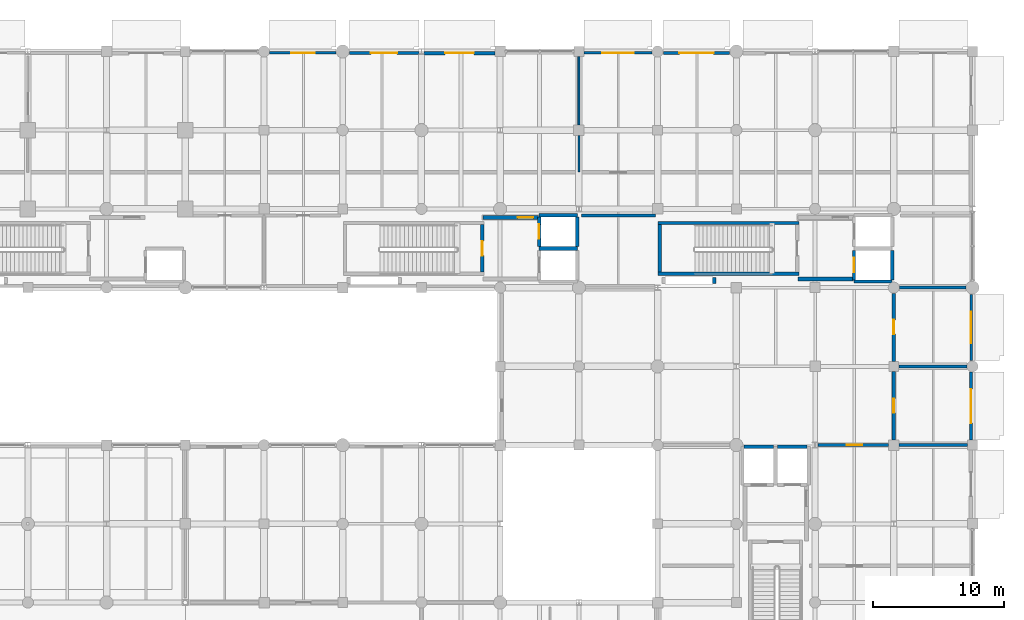
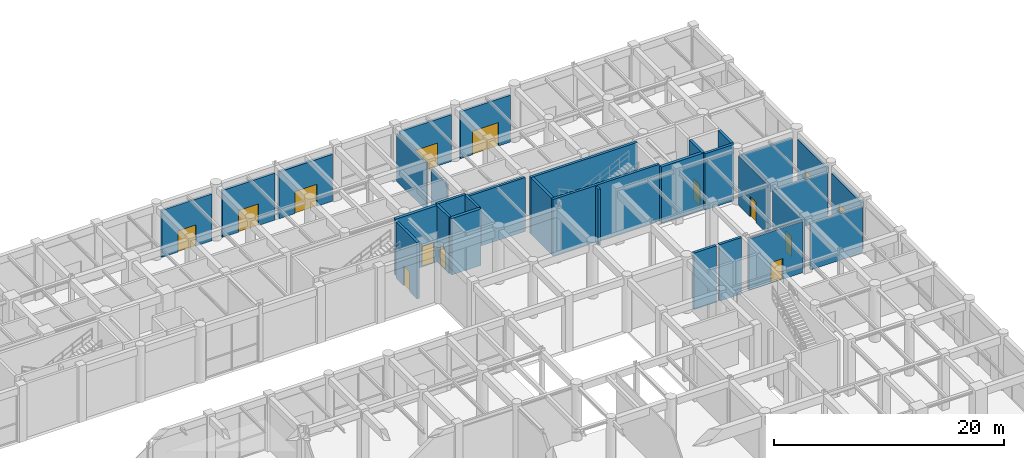
# One storey, part 90 of 106: 32 walls, 14 doors, 14 openings.
"""IFC4 building model written with IfcOpenShell, lengths in metres."""

from ifc_helpers import new_model, si_unit, direction, frame, frame_2d, origin, place, context, subcontext, project, spatial, rectangle, extrude, material, layer, layer_set, type_object, element, fill, save


model = new_model("IFC4")

# Units and contexts
model_context = context("Model", 3, precision=1e-05, world=origin(), true_north=direction((0.0, 1.0)))
body_context = subcontext(model_context, "Body", "Model", "MODEL_VIEW")
ifc_project = project(units=[si_unit("LENGTHUNIT", "METRE"), si_unit("AREAUNIT", "SQUARE_METRE"), si_unit("VOLUMEUNIT", "CUBIC_METRE"), si_unit("PLANEANGLEUNIT", "RADIAN"), si_unit("MASSUNIT", "GRAM", prefix="KILO"), si_unit("THERMODYNAMICTEMPERATUREUNIT", "KELVIN"), si_unit("POWERUNIT", "WATT")], contexts=[model_context])

# Site, building, storey
site_placement = place(None, origin())
site = spatial("IfcSite", under=ifc_project, at=site_placement, CompositionType="ELEMENT")
building_placement = place(site_placement, origin())
building = spatial("IfcBuilding", under=site, at=building_placement, Name="Phaisarnlok Congress Hotel", CompositionType="ELEMENT")
storey_placement = place(building_placement, origin())
storey = spatial("IfcBuildingStorey", under=building, at=storey_placement, Name="L00", CompositionType="ELEMENT", Elevation=0.0)

# Wall, opening, door
ifc_material_1 = material(Name="Concrete C40/50", Category="concrete")
ifc_layer_1 = layer(ifc_material_1, 0.2099609375, Name="Concrete C40/50")
ifc_layer_set_1 = layer_set([ifc_layer_1], Name="Concrete C40/50")
wall_type_1 = type_object("IfcWallType", Name="WL-EXT-210", PredefinedType="SOLIDWALL", material=ifc_layer_set_1)
wall_1_placement = place(storey_placement, frame((179.89501953125, 102.429931640625, 0.0), z_axis=(0.0, 0.0, 1.0), x_axis=(0.0, 1.0, 0.0)))
wall_1 = element("IfcWall", 1, at=wall_1_placement, inside=storey, type_object=wall_type_1, Name="Exterior wall EW-07 (L00)", PredefinedType="SOLIDWALL", context=body_context, shape_type="SweptSolid", body=[
    extrude(rectangle(XDim=5.065185546875, YDim=0.2099609375, at=frame_2d((2.53271484375, 0.0))), origin(), (0.0, 0.0, 1.0), 4.989990234375),
])
opening_1_placement = place(wall_1_placement, frame((1.33203125, 0.0, 0.0)))
opening_1 = element("IfcOpeningElement", 2, at=opening_1_placement, cuts=wall_1, Name="Opening FE-29", PredefinedType="OPENING", context=body_context, shape_type="SweptSolid", body=[
    extrude(rectangle(XDim=2.39990234375, YDim=2.449951171875, at=frame_2d((1.199951171875, 1.22509765625))), frame((0.0, 0.114990234375, 0.0), z_axis=(0.0, -1.0, 0.0), x_axis=(1.0, 0.0, 0.0)), (0.0, 0.0, 1.0), 0.22998046875),
])
ifc_material_2 = material(Name="Powder-Coated Steel & Laminated Safety Glass", Category="steel")
door_type_1 = type_object("IfcDoorType", Name="DR-ENTR-2400", OperationType="DOUBLE_DOOR_SLIDING", PredefinedType="DOOR", material=ifc_material_2)
door_1_placement = place(opening_1_placement, frame((2.39990234375, 0.0, 0.0), z_axis=(0.0, 0.0, 1.0), x_axis=(-1.0, 0.0, 0.0)))
door_1 = element("IfcDoor", 3, at=door_1_placement, inside=storey, type_object=door_type_1, Name="Ground final exit door FE-29", OperationType="SINGLE_SWING_LEFT", OverallHeight=2.449951171875, OverallWidth=2.39990234375, PredefinedType="DOOR", context=body_context, shape_type="SweptSolid", body=[
    extrude(rectangle(XDim=2.39990234375, YDim=2.449951171875, at=frame_2d((1.199951171875, 1.22509765625))), frame((0.0, 0.02490234375, 0.0), z_axis=(0.0, -1.0, 0.0), x_axis=(1.0, 0.0, 0.0)), (0.0, 0.0, 1.0), 0.050048828125),
])
fill(opening_1, door_1)

wall_2_placement = place(storey_placement, frame((155.570068359375, 125.89501953125, 0.0), z_axis=(0.0, 0.0, 1.0), x_axis=(-1.0, 0.0, 0.0)))
wall_2 = element("IfcWall", 4, at=wall_2_placement, inside=storey, type_object=wall_type_1, Name="Exterior wall EW-07 (L00)", PredefinedType="SOLIDWALL", context=body_context, shape_type="SweptSolid", body=[
    extrude(rectangle(XDim=5.190185546875, YDim=0.2099609375, at=frame_2d((2.59521484375, 0.0))), origin(), (0.0, 0.0, 1.0), 4.989990234375),
])
opening_2_placement = place(wall_2_placement, frame((1.39501953125, 0.0, 0.0)))
opening_2 = element("IfcOpeningElement", 5, at=opening_2_placement, cuts=wall_2, Name="Opening FE-34", PredefinedType="OPENING", context=body_context, shape_type="SweptSolid", body=[
    extrude(rectangle(XDim=2.39990234375, YDim=2.449951171875, at=frame_2d((1.199951171875, 1.22509765625))), frame((0.0, 0.114990234375, 0.0), z_axis=(0.0, -1.0, 0.0), x_axis=(1.0, 0.0, 0.0)), (0.0, 0.0, 1.0), 0.22998046875),
])
door_2_placement = place(opening_2_placement, frame((2.39990234375, 0.0, 0.0), z_axis=(0.0, 0.0, 1.0), x_axis=(-1.0, 0.0, 0.0)))
door_2 = element("IfcDoor", 6, at=door_2_placement, inside=storey, type_object=door_type_1, Name="Ground final exit door FE-34", OperationType="SINGLE_SWING_LEFT", OverallHeight=2.449951171875, OverallWidth=2.39990234375, PredefinedType="DOOR", context=body_context, shape_type="SweptSolid", body=[
    extrude(rectangle(XDim=2.39990234375, YDim=2.449951171875, at=frame_2d((1.199951171875, 1.22509765625))), frame((0.0, 0.02490234375, 0.0), z_axis=(0.0, -1.0, 0.0), x_axis=(1.0, 0.0, 0.0)), (0.0, 0.0, 1.0), 0.050048828125),
])
fill(opening_2, door_2)

wall_3_placement = place(storey_placement, frame((131.4951171875, 125.89501953125, 0.0), z_axis=(0.0, 0.0, 1.0), x_axis=(-1.0, 0.0, 0.0)))
wall_3 = element("IfcWall", 7, at=wall_3_placement, inside=storey, type_object=wall_type_1, Name="Exterior wall EW-07 (L00)", PredefinedType="SOLIDWALL", context=body_context, shape_type="SweptSolid", body=[
    extrude(rectangle(XDim=5.065185546875, YDim=0.2099609375, at=frame_2d((2.53271484375, 0.0))), origin(), (0.0, 0.0, 1.0), 4.989990234375),
])
opening_3_placement = place(wall_3_placement, frame((1.632080078125, 0.0, 0.0)))
opening_3 = element("IfcOpeningElement", 8, at=opening_3_placement, cuts=wall_3, Name="Opening FE-37", PredefinedType="OPENING", context=body_context, shape_type="SweptSolid", body=[
    extrude(rectangle(XDim=1.800048828125, YDim=2.25, at=frame_2d((0.89990234375, 1.125))), frame((0.0, 0.114990234375, 0.0), z_axis=(0.0, -1.0, 0.0), x_axis=(1.0, 0.0, 0.0)), (0.0, 0.0, 1.0), 0.22998046875),
])
door_type_2 = type_object("IfcDoorType", Name="DR-EXIT-1800", OperationType="DOUBLE_DOOR_SINGLE_SWING", PredefinedType="DOOR", material=ifc_material_2)
door_3_placement = place(opening_3_placement, frame((1.800048828125, 0.0, 0.0), z_axis=(0.0, 0.0, 1.0), x_axis=(-1.0, 0.0, 0.0)))
door_3 = element("IfcDoor", 9, at=door_3_placement, inside=storey, type_object=door_type_2, Name="Ground final exit door FE-37", OperationType="SINGLE_SWING_LEFT", OverallHeight=2.25, OverallWidth=1.800048828125, PredefinedType="DOOR", context=body_context, shape_type="SweptSolid", body=[
    extrude(rectangle(XDim=1.800048828125, YDim=2.25, at=frame_2d((0.89990234375, 1.125))), frame((0.0, 0.02490234375, 0.0), z_axis=(0.0, -1.0, 0.0), x_axis=(1.0, 0.0, 0.0)), (0.0, 0.0, 1.0), 0.050048828125),
])
fill(opening_3, door_3)

ifc_layer_2 = layer(ifc_material_1, 0.22998046875, Name="Concrete C40/50")
ifc_layer_set_2 = layer_set([ifc_layer_2], Name="Concrete C40/50")
wall_type_2 = type_object("IfcWallType", Name="WL-EXT-230", PredefinedType="SOLIDWALL", material=ifc_layer_set_2)
wall_4_placement = place(storey_placement, frame((179.885009765625, 96.3798828125, 0.0), z_axis=(0.0, 0.0, 1.0), x_axis=(0.0, 1.0, 0.0)))
wall_4 = element("IfcWall", 10, at=wall_4_placement, inside=storey, type_object=wall_type_2, Name="Exterior wall EW-06 (L00)", PredefinedType="SOLIDWALL", context=body_context, shape_type="SweptSolid", body=[
    extrude(rectangle(XDim=5.190185546875, YDim=0.22998046875, at=frame_2d((2.59521484375, 0.0))), origin(), (0.0, 0.0, 1.0), 4.989990234375),
])
opening_4_placement = place(wall_4_placement, frame((1.294921875, 0.0, 0.0)))
opening_4 = element("IfcOpeningElement", 11, at=opening_4_placement, cuts=wall_4, Name="Opening FE-28", PredefinedType="OPENING", context=body_context, shape_type="SweptSolid", body=[
    extrude(rectangle(XDim=2.60009765625, YDim=2.5, at=frame_2d((1.300048828125, 1.25))), frame((0.0, 0.125, 0.0), z_axis=(0.0, -1.0, 0.0), x_axis=(1.0, 0.0, 0.0)), (0.0, 0.0, 1.0), 0.25),
])
door_type_3 = type_object("IfcDoorType", Name="DR-ENTR-2600", OperationType="DOUBLE_DOOR_SLIDING", PredefinedType="DOOR", material=ifc_material_2)
door_4_placement = place(opening_4_placement, frame((2.60009765625, 0.0, 0.0), z_axis=(0.0, 0.0, 1.0), x_axis=(-1.0, 0.0, 0.0)))
door_4 = element("IfcDoor", 12, at=door_4_placement, inside=storey, type_object=door_type_3, Name="Ground final exit door FE-28", OperationType="SINGLE_SWING_LEFT", OverallHeight=2.5, OverallWidth=2.60009765625, PredefinedType="DOOR", context=body_context, shape_type="SweptSolid", body=[
    extrude(rectangle(XDim=2.60009765625, YDim=2.5, at=frame_2d((1.300048828125, 1.25))), frame((0.0, 0.02490234375, 0.0), z_axis=(0.0, -1.0, 0.0), x_axis=(1.0, 0.0, 0.0)), (0.0, 0.0, 1.0), 0.050048828125),
])
fill(opening_4, door_4)

wall_5_placement = place(storey_placement, frame((161.4951171875, 125.885009765625, 0.0), z_axis=(0.0, 0.0, 1.0), x_axis=(-1.0, 0.0, 0.0)))
wall_5 = element("IfcWall", 13, at=wall_5_placement, inside=storey, type_object=wall_type_2, Name="Exterior wall EW-06 (L00)", PredefinedType="SOLIDWALL", context=body_context, shape_type="SweptSolid", body=[
    extrude(rectangle(XDim=5.065185546875, YDim=0.22998046875, at=frame_2d((2.53271484375, 0.0))), origin(), (0.0, 0.0, 1.0), 4.989990234375),
])
opening_5_placement = place(wall_5_placement, frame((1.23193359375, 0.0, 0.0)))
opening_5 = element("IfcOpeningElement", 14, at=opening_5_placement, cuts=wall_5, Name="Opening FE-33", PredefinedType="OPENING", context=body_context, shape_type="SweptSolid", body=[
    extrude(rectangle(XDim=2.60009765625, YDim=2.5, at=frame_2d((1.300048828125, 1.25))), frame((0.0, 0.125, 0.0), z_axis=(0.0, -1.0, 0.0), x_axis=(1.0, 0.0, 0.0)), (0.0, 0.0, 1.0), 0.25),
])
door_5_placement = place(opening_5_placement, frame((2.60009765625, 0.0, 0.0), z_axis=(0.0, 0.0, 1.0), x_axis=(-1.0, 0.0, 0.0)))
door_5 = element("IfcDoor", 15, at=door_5_placement, inside=storey, type_object=door_type_3, Name="Ground final exit door FE-33", OperationType="SINGLE_SWING_LEFT", OverallHeight=2.5, OverallWidth=2.60009765625, PredefinedType="DOOR", context=body_context, shape_type="SweptSolid", body=[
    extrude(rectangle(XDim=2.60009765625, YDim=2.5, at=frame_2d((1.300048828125, 1.25))), frame((0.0, 0.02490234375, 0.0), z_axis=(0.0, -1.0, 0.0), x_axis=(1.0, 0.0, 0.0)), (0.0, 0.0, 1.0), 0.050048828125),
])
fill(opening_5, door_5)

wall_6_placement = place(storey_placement, frame((137.79443359375, 125.885009765625, 0.0), z_axis=(0.0, 0.0, 1.0), x_axis=(-1.0, 0.0, 0.0)))
wall_6 = element("IfcWall", 16, at=wall_6_placement, inside=storey, type_object=wall_type_2, Name="Exterior wall EW-06 (L00)", PredefinedType="SOLIDWALL", context=body_context, shape_type="SweptSolid", body=[
    extrude(rectangle(XDim=5.28955078125, YDim=0.22998046875, at=frame_2d((2.644775390625, 0.0))), origin(), (0.0, 0.0, 1.0), 4.989990234375),
])
opening_6_placement = place(wall_6_placement, frame((1.64501953125, 0.0, 0.0)))
opening_6 = element("IfcOpeningElement", 17, at=opening_6_placement, cuts=wall_6, Name="Opening FE-36", PredefinedType="OPENING", context=body_context, shape_type="SweptSolid", body=[
    extrude(rectangle(XDim=2.0, YDim=2.300048828125, at=frame_2d((1.0, 1.14990234375))), frame((0.0, 0.125, 0.0), z_axis=(0.0, -1.0, 0.0), x_axis=(1.0, 0.0, 0.0)), (0.0, 0.0, 1.0), 0.25),
])
door_type_4 = type_object("IfcDoorType", Name="DR-EXIT-2000", OperationType="DOUBLE_DOOR_SINGLE_SWING", PredefinedType="DOOR", material=ifc_material_2)
door_6_placement = place(opening_6_placement, frame((2.0, 0.0, 0.0), z_axis=(0.0, 0.0, 1.0), x_axis=(-1.0, 0.0, 0.0)))
door_6 = element("IfcDoor", 18, at=door_6_placement, inside=storey, type_object=door_type_4, Name="Ground final exit door FE-36", OperationType="SINGLE_SWING_LEFT", OverallHeight=2.300048828125, OverallWidth=2.0, PredefinedType="DOOR", context=body_context, shape_type="SweptSolid", body=[
    extrude(rectangle(XDim=2.0, YDim=2.300048828125, at=frame_2d((1.0, 1.14990234375))), frame((0.0, 0.02490234375, 0.0), z_axis=(0.0, -1.0, 0.0), x_axis=(1.0, 0.0, 0.0)), (0.0, 0.0, 1.0), 0.050048828125),
])
fill(opening_6, door_6)

ifc_layer_3 = layer(ifc_material_1, 0.25, Name="Concrete C40/50")
ifc_layer_set_3 = layer_set([ifc_layer_3], Name="Concrete C40/50")
wall_type_3 = type_object("IfcWallType", Name="WL-EXT-250", PredefinedType="SOLIDWALL", material=ifc_layer_set_3)
wall_7_placement = place(storey_placement, frame((143.594970703125, 125.875, 0.0), z_axis=(0.0, 0.0, 1.0), x_axis=(-1.0, 0.0, 0.0)))
wall_7 = element("IfcWall", 19, at=wall_7_placement, inside=storey, type_object=wall_type_3, Name="Exterior wall EW-05 (L00)", PredefinedType="SOLIDWALL", context=body_context, shape_type="SweptSolid", body=[
    extrude(rectangle(XDim=5.389404296875, YDim=0.25, at=frame_2d((2.69482421875, 0.0))), origin(), (0.0, 0.0, 1.0), 4.989990234375),
])
opening_7_placement = place(wall_7_placement, frame((1.594970703125, 0.0, 0.0)))
opening_7 = element("IfcOpeningElement", 20, at=opening_7_placement, cuts=wall_7, Name="Opening FE-35", PredefinedType="OPENING", context=body_context, shape_type="SweptSolid", body=[
    extrude(rectangle(XDim=2.199951171875, YDim=2.35009765625, at=frame_2d((1.10009765625, 1.175048828125))), frame((0.0, 0.135009765625, 0.0), z_axis=(0.0, -1.0, 0.0), x_axis=(1.0, 0.0, 0.0)), (0.0, 0.0, 1.0), 0.27001953125),
])
door_type_5 = type_object("IfcDoorType", Name="DR-EXIT-2200", OperationType="DOUBLE_DOOR_SINGLE_SWING", PredefinedType="DOOR", material=ifc_material_2)
door_7_placement = place(opening_7_placement, frame((2.199951171875, 0.0, 0.0), z_axis=(0.0, 0.0, 1.0), x_axis=(-1.0, 0.0, 0.0)))
door_7 = element("IfcDoor", 21, at=door_7_placement, inside=storey, type_object=door_type_5, Name="Ground final exit door FE-35", OperationType="SINGLE_SWING_LEFT", OverallHeight=2.35009765625, OverallWidth=2.199951171875, PredefinedType="DOOR", context=body_context, shape_type="SweptSolid", body=[
    extrude(rectangle(XDim=2.199951171875, YDim=2.35009765625, at=frame_2d((1.10009765625, 1.175048828125))), frame((0.0, 0.02490234375, 0.0), z_axis=(0.0, -1.0, 0.0), x_axis=(1.0, 0.0, 0.0)), (0.0, 0.0, 1.0), 0.050048828125),
])
fill(opening_7, door_7)

# Walls
ifc_material_3 = material(Name="Acoustic Gypsum Board & Mineral Wool", Category="gypsum")
ifc_layer_4 = layer(ifc_material_3, 0.14990234375, Name="Acoustic Gypsum Board & Mineral Wool")
ifc_layer_set_4 = layer_set([ifc_layer_4], Name="Acoustic Gypsum Board & Mineral Wool")
wall_type_4 = type_object("IfcWallType", Name="WL-INT-150", PredefinedType="PARTITIONING", material=ifc_layer_set_4)
wall_8_placement = place(storey_placement, frame((150.0, 120.405029296875, 0.0), z_axis=(0.0, 0.0, 1.0), x_axis=(0.0, 1.0, 0.0)))
element("IfcWall", 22, at=wall_8_placement, inside=storey, type_object=wall_type_4, Name="Interior partition wall IW-05 (L00)", PredefinedType="PARTITIONING", context=body_context, shape_type="SweptSolid", body=[
    extrude(rectangle(XDim=5.215087890625, YDim=0.14990234375, at=frame_2d((2.607421875, 0.0))), origin(), (0.0, 0.0, 1.0), 5.0400390625),
])
ifc_material_4 = material(Name="Double-Stud Acoustic Gypsum Partition", Category="gypsum")
ifc_layer_5 = layer(ifc_material_4, 0.159912109375, Name="Double-Stud Acoustic Gypsum Partition")
ifc_layer_set_5 = layer_set([ifc_layer_5], Name="Double-Stud Acoustic Gypsum Partition")
wall_type_5 = type_object("IfcWallType", Name="WL-INT-160", PredefinedType="PARTITIONING", material=ifc_layer_set_5)
wall_9_placement = place(storey_placement, frame((150.0, 116.800048828125, 0.0), z_axis=(0.0, 0.0, 1.0), x_axis=(0.0, 1.0, 0.0)))
element("IfcWall", 23, at=wall_9_placement, inside=storey, type_object=wall_type_5, Name="Interior partition wall IW-04 (L00)", PredefinedType="PARTITIONING", context=body_context, shape_type="SweptSolid", body=[
    extrude(rectangle(XDim=2.794921875, YDim=0.159912109375, at=frame_2d((1.3974609375, 0.0))), origin(), (0.0, 0.0, 1.0), 4.93994140625),
])

# Wall, opening, door
ifc_layer_6 = layer(ifc_material_1, 0.239990234375, Name="Concrete C40/50")
ifc_layer_set_6 = layer_set([ifc_layer_6], Name="Concrete C40/50")
wall_type_6 = type_object("IfcWallType", Name="WL-INT-240", PredefinedType="PARTITIONING", material=ifc_layer_set_6)
wall_10_placement = place(storey_placement, frame((174.0, 96.405029296875, 0.0), z_axis=(0.0, 0.0, 1.0), x_axis=(0.0, 1.0, 0.0)))
wall_10 = element("IfcWall", 24, at=wall_10_placement, inside=storey, type_object=wall_type_6, Name="Interior partition wall IW-01 (L00)", PredefinedType="PARTITIONING", context=body_context, shape_type="SweptSolid", body=[
    extrude(rectangle(XDim=5.215087890625, YDim=0.239990234375, at=frame_2d((2.607421875, 0.0))), origin(), (0.0, 0.0, 1.0), 5.18994140625),
])
opening_8_placement = place(wall_10_placement, frame((2.044921875, 0.0, 0.0)))
opening_8 = element("IfcOpeningElement", 25, at=opening_8_placement, cuts=wall_10, Name="Opening D-0039", PredefinedType="OPENING", context=body_context, shape_type="SweptSolid", body=[
    extrude(rectangle(XDim=1.10009765625, YDim=2.14990234375, at=frame_2d((0.550048828125, 1.074951171875))), frame((0.0, 0.1298828125, 0.0), z_axis=(0.0, -1.0, 0.0), x_axis=(1.0, 0.0, 0.0)), (0.0, 0.0, 1.0), 0.260009765625),
])
ifc_material_5 = material(Name="Fire-Rated Steel Frame & Timber Leaf", Category="steel")
door_type_6 = type_object("IfcDoorType", Name="DR-FD60-1100", OperationType="NOTDEFINED", PredefinedType="DOOR", material=ifc_material_5)
door_8_placement = place(opening_8_placement, origin())
door_8 = element("IfcDoor", 26, at=door_8_placement, inside=storey, type_object=door_type_6, Name="Interior door D-0039 (L00)", OperationType="SINGLE_SWING_RIGHT", OverallHeight=2.14990234375, OverallWidth=1.10009765625, PredefinedType="DOOR", context=body_context, shape_type="SweptSolid", body=[
    extrude(rectangle(XDim=1.10009765625, YDim=2.14990234375, at=frame_2d((0.550048828125, 1.074951171875))), frame((0.0, 0.02490234375, 0.0), z_axis=(0.0, -1.0, 0.0), x_axis=(1.0, 0.0, 0.0)), (0.0, 0.0, 1.0), 0.050048828125),
])
fill(opening_8, door_8)

wall_11_placement = place(storey_placement, frame((174.0, 102.3798828125, 0.0), z_axis=(0.0, 0.0, 1.0), x_axis=(0.0, 1.0, 0.0)))
wall_11 = element("IfcWall", 27, at=wall_11_placement, inside=storey, type_object=wall_type_6, Name="Interior partition wall IW-01 (L00)", PredefinedType="PARTITIONING", context=body_context, shape_type="SweptSolid", body=[
    extrude(rectangle(XDim=5.190185546875, YDim=0.239990234375, at=frame_2d((2.59521484375, 0.0))), origin(), (0.0, 0.0, 1.0), 5.239990234375),
])
opening_9_placement = place(wall_11_placement, frame((2.070068359375, 0.0, 0.0)))
opening_9 = element("IfcOpeningElement", 28, at=opening_9_placement, cuts=wall_11, Name="Opening D-0040", PredefinedType="OPENING", context=body_context, shape_type="SweptSolid", body=[
    extrude(rectangle(XDim=1.10009765625, YDim=2.14990234375, at=frame_2d((0.550048828125, 1.074951171875))), frame((0.0, 0.1298828125, 0.0), z_axis=(0.0, -1.0, 0.0), x_axis=(1.0, 0.0, 0.0)), (0.0, 0.0, 1.0), 0.260009765625),
])
door_9_placement = place(opening_9_placement, origin())
door_9 = element("IfcDoor", 29, at=door_9_placement, inside=storey, type_object=door_type_6, Name="Interior door D-0040 (L00)", OperationType="SINGLE_SWING_LEFT", OverallHeight=2.14990234375, OverallWidth=1.10009765625, PredefinedType="DOOR", context=body_context, shape_type="SweptSolid", body=[
    extrude(rectangle(XDim=1.10009765625, YDim=2.14990234375, at=frame_2d((0.550048828125, 1.074951171875))), frame((0.0, 0.02490234375, 0.0), z_axis=(0.0, -1.0, 0.0), x_axis=(1.0, 0.0, 0.0)), (0.0, 0.0, 1.0), 0.050048828125),
])
fill(opening_9, door_9)

wall_12_placement = place(storey_placement, frame((168.20556640625, 96.0, 0.0), z_axis=(0.0, 0.0, 1.0), x_axis=(1.0, 0.0, 0.0)))
wall_12 = element("IfcWall", 30, at=wall_12_placement, inside=storey, type_object=wall_type_6, Name="Interior partition wall IW-01 (L00)", PredefinedType="PARTITIONING", context=body_context, shape_type="SweptSolid", body=[
    extrude(rectangle(XDim=5.389404296875, YDim=0.239990234375, at=frame_2d((2.69482421875, 0.0))), origin(), (0.0, 0.0, 1.0), 5.449951171875),
])
opening_10_placement = place(wall_12_placement, frame((2.194091796875, 0.0, 0.0)))
opening_10 = element("IfcOpeningElement", 31, at=opening_10_placement, cuts=wall_12, Name="Opening D-0027", PredefinedType="OPENING", context=body_context, shape_type="SweptSolid", body=[
    extrude(rectangle(XDim=1.199951171875, YDim=2.199951171875, at=frame_2d((0.60009765625, 1.10009765625))), frame((0.0, 0.1298828125, 0.0), z_axis=(0.0, -1.0, 0.0), x_axis=(1.0, 0.0, 0.0)), (0.0, 0.0, 1.0), 0.260009765625),
])
door_type_7 = type_object("IfcDoorType", Name="DR-FD60-1200", OperationType="NOTDEFINED", PredefinedType="DOOR", material=ifc_material_5)
door_10_placement = place(opening_10_placement, origin())
door_10 = element("IfcDoor", 32, at=door_10_placement, inside=storey, type_object=door_type_7, Name="Interior door D-0027 (L00)", OperationType="SINGLE_SWING_RIGHT", OverallHeight=2.199951171875, OverallWidth=1.199951171875, PredefinedType="DOOR", context=body_context, shape_type="SweptSolid", body=[
    extrude(rectangle(XDim=1.199951171875, YDim=2.199951171875, at=frame_2d((0.60009765625, 1.10009765625))), frame((0.0, 0.02490234375, 0.0), z_axis=(0.0, -1.0, 0.0), x_axis=(1.0, 0.0, 0.0)), (0.0, 0.0, 1.0), 0.050048828125),
])
fill(opening_10, door_10)

# Walls
wall_13_placement = place(storey_placement, frame((174.405029296875, 96.0, 0.0), z_axis=(0.0, 0.0, 1.0), x_axis=(1.0, 0.0, 0.0)))
element("IfcWall", 33, at=wall_13_placement, inside=storey, type_object=wall_type_6, Name="Interior partition wall IW-01 (L00)", PredefinedType="PARTITIONING", context=body_context, shape_type="SweptSolid", body=[
    extrude(rectangle(XDim=5.215087890625, YDim=0.239990234375, at=frame_2d((2.607421875, 0.0))), origin(), (0.0, 0.0, 1.0), 4.93994140625),
])
wall_14_placement = place(storey_placement, frame((174.3798828125, 102.0, 0.0), z_axis=(0.0, 0.0, 1.0), x_axis=(1.0, 0.0, 0.0)))
element("IfcWall", 34, at=wall_14_placement, inside=storey, type_object=wall_type_6, Name="Interior partition wall IW-01 (L00)", PredefinedType="PARTITIONING", context=body_context, shape_type="SweptSolid", body=[
    extrude(rectangle(XDim=5.190185546875, YDim=0.239990234375, at=frame_2d((2.59521484375, 0.0))), origin(), (0.0, 0.0, 1.0), 4.93994140625),
])
wall_15_placement = place(storey_placement, frame((174.429931640625, 108.0, 0.0), z_axis=(0.0, 0.0, 1.0), x_axis=(1.0, 0.0, 0.0)))
element("IfcWall", 35, at=wall_15_placement, inside=storey, type_object=wall_type_6, Name="Interior partition wall IW-01 (L00)", PredefinedType="PARTITIONING", context=body_context, shape_type="SweptSolid", body=[
    extrude(rectangle(XDim=5.065185546875, YDim=0.239990234375, at=frame_2d((2.53271484375, 0.0))), origin(), (0.0, 0.0, 1.0), 4.93994140625),
])
wall_16_placement = place(storey_placement, frame((150.179931640625, 113.5, 0.0), z_axis=(0.0, 0.0, 1.0), x_axis=(1.0, 0.0, 0.0)))
element("IfcWall", 36, at=wall_16_placement, inside=storey, type_object=wall_type_6, Name="Interior partition wall IW-01 (L00)", PredefinedType="PARTITIONING", context=body_context, shape_type="SweptSolid", body=[
    extrude(rectangle(XDim=5.64013671875, YDim=0.239990234375, at=frame_2d((2.820068359375, 0.0))), origin(), (0.0, 0.0, 1.0), 5.739990234375),
])
ifc_material_6 = material(Name="Concrete C50/60", Category="concrete")
ifc_layer_7 = layer(ifc_material_6, 0.260009765625, Name="Concrete C50/60")
ifc_layer_set_7 = layer_set([ifc_layer_7], Name="Concrete C50/60")
wall_type_7 = type_object("IfcWallType", Name="WL-SHR-260", PredefinedType="SHEAR", material=ifc_layer_set_7)
for number, where, z_axis, x_axis, name in (
    (37, (156.0400390625, 109.070068359375, 0.0), (0.0, 0.0, 1.0), (1.0, 0.0, 0.0), "Stair shaft shear wall SW-04 (CORE-1 L00)"),
    (38, (156.0400390625, 112.929931640625, 0.0), (0.0, 0.0, 1.0), (1.0, 0.0, 0.0), "Stair shaft shear wall SW-04 (CORE-1 L00)"),
):
    element("IfcWall", number, at=place(storey_placement, frame(where, z_axis=z_axis, x_axis=x_axis)), inside=storey, type_object=wall_type_7, Name=name, PredefinedType="SHEAR", context=body_context, shape_type="SweptSolid", body=[
        extrude(rectangle(XDim=10.719970703125, YDim=0.260009765625, at=frame_2d((5.35986328125, 0.0))), origin(), (0.0, 0.0, 1.0), 6.0),
    ])
wall_17_placement = place(storey_placement, frame((156.169921875, 109.199951171875, 0.0), z_axis=(0.0, 0.0, 1.0), x_axis=(0.0, 1.0, 0.0)))
element("IfcWall", 39, at=wall_17_placement, inside=storey, type_object=wall_type_7, Name="Stair shaft shear wall SW-04 (CORE-1 L00)", PredefinedType="SHEAR", context=body_context, shape_type="SweptSolid", body=[
    extrude(rectangle(XDim=3.60009765625, YDim=0.260009765625, at=frame_2d((1.800048828125, 0.0))), origin(), (0.0, 0.0, 1.0), 6.0),
])
wall_18_placement = place(storey_placement, frame((170.969970703125, 108.469970703125, 0.0), z_axis=(0.0, 0.0, 1.0), x_axis=(1.0, 0.0, 0.0)))
element("IfcWall", 40, at=wall_18_placement, inside=storey, type_object=wall_type_7, Name="Lift shaft shear wall SW-04 (LF-FF1 L00)", PredefinedType="SHEAR", context=body_context, shape_type="SweptSolid", body=[
    extrude(rectangle(XDim=2.909912109375, YDim=0.260009765625, at=frame_2d((1.455078125, 0.0))), origin(), (0.0, 0.0, 1.0), 6.0),
])
wall_19_placement = place(storey_placement, frame((173.8798828125, 108.60009765625, 0.0), z_axis=(0.0, 0.0, 1.0), x_axis=(0.0, 1.0, 0.0)))
element("IfcWall", 41, at=wall_19_placement, inside=storey, type_object=wall_type_7, Name="Lift shaft shear wall SW-04 (LF-FF1 L00)", PredefinedType="SHEAR", context=body_context, shape_type="SweptSolid", body=[
    extrude(rectangle(XDim=2.25, YDim=0.260009765625, at=frame_2d((1.125, 0.0))), origin(), (0.0, 0.0, 1.0), 6.0),
])

# Wall, opening, door
wall_20_placement = place(storey_placement, frame((170.969970703125, 108.60009765625, 0.0), z_axis=(0.0, 0.0, 1.0), x_axis=(0.0, 1.0, 0.0)))
wall_20 = element("IfcWall", 42, at=wall_20_placement, inside=storey, type_object=wall_type_7, Name="Lift shaft front wall SW-04 (LF-FF1 L00)", PredefinedType="SHEAR", context=body_context, shape_type="SweptSolid", body=[
    extrude(rectangle(XDim=2.25, YDim=0.260009765625, at=frame_2d((1.125, 0.0))), origin(), (0.0, 0.0, 1.0), 6.0),
])
opening_11_placement = place(wall_20_placement, frame((0.574951171875, 0.0, 0.0)))
opening_11 = element("IfcOpeningElement", 43, at=opening_11_placement, cuts=wall_20, Name="Opening LD-002", PredefinedType="OPENING", context=body_context, shape_type="SweptSolid", body=[
    extrude(rectangle(XDim=1.10009765625, YDim=2.199951171875, at=frame_2d((0.550048828125, 1.10009765625))), frame((0.0, 0.14013671875, 0.0), z_axis=(0.0, -1.0, 0.0), x_axis=(1.0, 0.0, 0.0)), (0.0, 0.0, 1.0), 0.280029296875),
])
ifc_material_7 = material(Name="Brushed Stainless Steel Grade 304", Category="steel")
door_type_8 = type_object("IfcDoorType", Name="DR-LD-1100", OperationType="DOUBLE_DOOR_SLIDING", PredefinedType="DOOR", material=ifc_material_7)
door_11_placement = place(opening_11_placement, origin())
door_11 = element("IfcDoor", 44, at=door_11_placement, inside=storey, type_object=door_type_8, Name="Lift landing sliding door LD-002 (LF-FF1 L00)", OperationType="DOUBLE_DOOR_SLIDING", OverallHeight=2.199951171875, OverallWidth=1.10009765625, PredefinedType="DOOR", context=body_context, shape_type="SweptSolid", body=[
    extrude(rectangle(XDim=1.10009765625, YDim=2.199951171875, at=frame_2d((0.550048828125, 1.10009765625))), frame((0.0, 0.02490234375, 0.0), z_axis=(0.0, -1.0, 0.0), x_axis=(1.0, 0.0, 0.0)), (0.0, 0.0, 1.0), 0.050048828125),
])
fill(opening_11, door_11)

# Wall
wall_21_placement = place(storey_placement, frame((160.330078125, 108.330078125, 0.0), z_axis=(0.0, 0.0, 1.0), x_axis=(0.0, 1.0, 0.0)))
element("IfcWall", 45, at=wall_21_placement, inside=storey, type_object=wall_type_7, Name="Service riser shaft wall SW-04 (CORE-1 L00)", PredefinedType="SHEAR", context=body_context, shape_type="SweptSolid", body=[
    extrude(rectangle(XDim=0.43994140625, YDim=0.260009765625, at=frame_2d((0.219970703125, 0.0))), origin(), (0.0, 0.0, 1.0), 6.0),
])

# Wall, opening, door
wall_22_placement = place(storey_placement, frame((142.6298828125, 109.199951171875, 0.0), z_axis=(0.0, 0.0, 1.0), x_axis=(0.0, 1.0, 0.0)))
wall_22 = element("IfcWall", 46, at=wall_22_placement, inside=storey, type_object=wall_type_7, Name="Stair shaft shear wall SW-04 (CORE-2 L00)", PredefinedType="SHEAR", context=body_context, shape_type="SweptSolid", body=[
    extrude(rectangle(XDim=3.60009765625, YDim=0.260009765625, at=frame_2d((1.800048828125, 0.0))), origin(), (0.0, 0.0, 1.0), 6.0),
])
opening_12_placement = place(wall_22_placement, frame((1.25, 0.0, 0.0)))
opening_12 = element("IfcOpeningElement", 47, at=opening_12_placement, cuts=wall_22, Name="Opening FD-032", PredefinedType="OPENING", context=body_context, shape_type="SweptSolid", body=[
    extrude(rectangle(XDim=1.10009765625, YDim=2.14990234375, at=frame_2d((0.550048828125, 1.074951171875))), frame((0.0, 0.14013671875, 0.0), z_axis=(0.0, -1.0, 0.0), x_axis=(1.0, 0.0, 0.0)), (0.0, 0.0, 1.0), 0.280029296875),
])
door_12_placement = place(opening_12_placement, origin())
door_12 = element("IfcDoor", 48, at=door_12_placement, inside=storey, type_object=door_type_6, Name="Stair enclosure fire door FD-032 (L00)", OperationType="SINGLE_SWING_LEFT", OverallHeight=2.14990234375, OverallWidth=1.10009765625, PredefinedType="DOOR", context=body_context, shape_type="SweptSolid", body=[
    extrude(rectangle(XDim=1.10009765625, YDim=2.14990234375, at=frame_2d((0.550048828125, 1.074951171875))), frame((0.0, 0.02490234375, 0.0), z_axis=(0.0, -1.0, 0.0), x_axis=(1.0, 0.0, 0.0)), (0.0, 0.0, 1.0), 0.050048828125),
])
fill(opening_12, door_12)

# Walls
wall_23_placement = place(storey_placement, frame((146.969970703125, 113.530029296875, 0.0), z_axis=(0.0, 0.0, 1.0), x_axis=(1.0, 0.0, 0.0)))
element("IfcWall", 49, at=wall_23_placement, inside=storey, type_object=wall_type_7, Name="Lift shaft shear wall SW-04 (LF-HP2 L00)", PredefinedType="SHEAR", context=body_context, shape_type="SweptSolid", body=[
    extrude(rectangle(XDim=2.909912109375, YDim=0.260009765625, at=frame_2d((1.455078125, 0.0))), origin(), (0.0, 0.0, 1.0), 6.0),
])
wall_24_placement = place(storey_placement, frame((149.8798828125, 111.14990234375, 0.0), z_axis=(0.0, 0.0, 1.0), x_axis=(0.0, 1.0, 0.0)))
element("IfcWall", 50, at=wall_24_placement, inside=storey, type_object=wall_type_7, Name="Lift shaft shear wall SW-04 (LF-HP2 L00)", PredefinedType="SHEAR", context=body_context, shape_type="SweptSolid", body=[
    extrude(rectangle(XDim=2.25, YDim=0.260009765625, at=frame_2d((1.125, 0.0))), origin(), (0.0, 0.0, 1.0), 6.0),
])

# Wall, opening, door
wall_25_placement = place(storey_placement, frame((146.969970703125, 111.14990234375, 0.0), z_axis=(0.0, 0.0, 1.0), x_axis=(0.0, 1.0, 0.0)))
wall_25 = element("IfcWall", 51, at=wall_25_placement, inside=storey, type_object=wall_type_7, Name="Lift shaft front wall SW-04 (LF-HP2 L00)", PredefinedType="SHEAR", context=body_context, shape_type="SweptSolid", body=[
    extrude(rectangle(XDim=2.25, YDim=0.260009765625, at=frame_2d((1.125, 0.0))), origin(), (0.0, 0.0, 1.0), 6.0),
])
opening_13_placement = place(wall_25_placement, frame((0.574951171875, 0.0, 0.0)))
opening_13 = element("IfcOpeningElement", 52, at=opening_13_placement, cuts=wall_25, Name="Opening LD-047", PredefinedType="OPENING", context=body_context, shape_type="SweptSolid", body=[
    extrude(rectangle(XDim=1.10009765625, YDim=2.199951171875, at=frame_2d((0.550048828125, 1.10009765625))), frame((0.0, 0.14013671875, 0.0), z_axis=(0.0, -1.0, 0.0), x_axis=(1.0, 0.0, 0.0)), (0.0, 0.0, 1.0), 0.280029296875),
])
door_13_placement = place(opening_13_placement, origin())
door_13 = element("IfcDoor", 53, at=door_13_placement, inside=storey, type_object=door_type_8, Name="Lift landing sliding door LD-047 (LF-HP2 L00)", OperationType="DOUBLE_DOOR_SLIDING", OverallHeight=2.199951171875, OverallWidth=1.10009765625, PredefinedType="DOOR", context=body_context, shape_type="SweptSolid", body=[
    extrude(rectangle(XDim=1.10009765625, YDim=2.199951171875, at=frame_2d((0.550048828125, 1.10009765625))), frame((0.0, 0.02490234375, 0.0), z_axis=(0.0, -1.0, 0.0), x_axis=(1.0, 0.0, 0.0)), (0.0, 0.0, 1.0), 0.050048828125),
])
fill(opening_13, door_13)

# Walls
for number, where, z_axis, x_axis, name in (
    (54, (162.60009765625, 95.8798828125, 0.0), (0.0, 0.0, 1.0), (1.0, 0.0, 0.0), "Lift shaft shear wall SW-04 (LF-HP3 L00)"),
    (55, (165.14990234375, 95.8798828125, 0.0), (0.0, 0.0, 1.0), (1.0, 0.0, 0.0), "Lift shaft shear wall SW-04 (LF-SV1 L00)"),
):
    element("IfcWall", number, at=place(storey_placement, frame(where, z_axis=z_axis, x_axis=x_axis)), inside=storey, type_object=wall_type_7, Name=name, PredefinedType="SHEAR", context=body_context, shape_type="SweptSolid", body=[
        extrude(rectangle(XDim=2.25, YDim=0.260009765625, at=frame_2d((1.125, 0.0))), origin(), (0.0, 0.0, 1.0), 6.0),
    ])
ifc_layer_8 = layer(ifc_material_6, 0.300048828125, Name="Concrete C50/60")
ifc_layer_set_8 = layer_set([ifc_layer_8], Name="Concrete C50/60")
wall_type_8 = type_object("IfcWallType", Name="WL-SHR-300", PredefinedType="SHEAR", material=ifc_layer_set_8)
wall_26_placement = place(storey_placement, frame((166.679931640625, 108.64990234375, 0.0), z_axis=(0.0, 0.0, 1.0), x_axis=(1.0, 0.0, 0.0)))
element("IfcWall", 56, at=wall_26_placement, inside=storey, type_object=wall_type_8, Name="Core lobby EI-120 wall SW-03 (CORE-1 L00)", PredefinedType="SHEAR", context=body_context, shape_type="SweptSolid", body=[
    extrude(rectangle(XDim=4.239990234375, YDim=0.300048828125, at=frame_2d((2.1201171875, 0.0))), origin(), (0.0, 0.0, 1.0), 6.0),
])
wall_27_placement = place(storey_placement, frame((146.969970703125, 111.0, 0.0), z_axis=(0.0, 0.0, 1.0), x_axis=(1.0, 0.0, 0.0)))
element("IfcWall", 57, at=wall_27_placement, inside=storey, type_object=wall_type_8, Name="Lift shaft divider shear wall SW-03 (LF-FF2 L00)", PredefinedType="SHEAR", context=body_context, shape_type="SweptSolid", body=[
    extrude(rectangle(XDim=2.909912109375, YDim=0.300048828125, at=frame_2d((1.455078125, 0.0))), origin(), (0.0, 0.0, 1.0), 6.0),
])

# Wall, opening, door
wall_28_placement = place(storey_placement, frame((142.679931640625, 113.35009765625, 0.0), z_axis=(0.0, 0.0, 1.0), x_axis=(1.0, 0.0, 0.0)))
wall_28 = element("IfcWall", 58, at=wall_28_placement, inside=storey, type_object=wall_type_8, Name="Core lobby EI-120 wall SW-03 (CORE-2 L00)", PredefinedType="SHEAR", context=body_context, shape_type="SweptSolid", body=[
    extrude(rectangle(XDim=4.239990234375, YDim=0.300048828125, at=frame_2d((2.1201171875, 0.0))), origin(), (0.0, 0.0, 1.0), 6.0),
])
opening_14_placement = place(wall_28_placement, frame((2.64990234375, 0.0, 0.0)))
opening_14 = element("IfcOpeningElement", 59, at=opening_14_placement, cuts=wall_28, Name="Opening FD-047", PredefinedType="OPENING", context=body_context, shape_type="SweptSolid", body=[
    extrude(rectangle(XDim=1.199951171875, YDim=2.199951171875, at=frame_2d((0.60009765625, 1.10009765625))), frame((0.0, 0.16015625, 0.0), z_axis=(0.0, -1.0, 0.0), x_axis=(1.0, 0.0, 0.0)), (0.0, 0.0, 1.0), 0.320068359375),
])
door_14_placement = place(opening_14_placement, origin())
door_14 = element("IfcDoor", 60, at=door_14_placement, inside=storey, type_object=door_type_7, Name="Firefighting lobby entrance door FD-047 (CORE-2 L00)", OperationType="SINGLE_SWING_RIGHT", OverallHeight=2.199951171875, OverallWidth=1.199951171875, PredefinedType="DOOR", context=body_context, shape_type="SweptSolid", body=[
    extrude(rectangle(XDim=1.199951171875, YDim=2.199951171875, at=frame_2d((0.60009765625, 1.10009765625))), frame((0.0, 0.02490234375, 0.0), z_axis=(0.0, -1.0, 0.0), x_axis=(1.0, 0.0, 0.0)), (0.0, 0.0, 1.0), 0.050048828125),
])
fill(opening_14, door_14)

save(model, "model.ifc")
